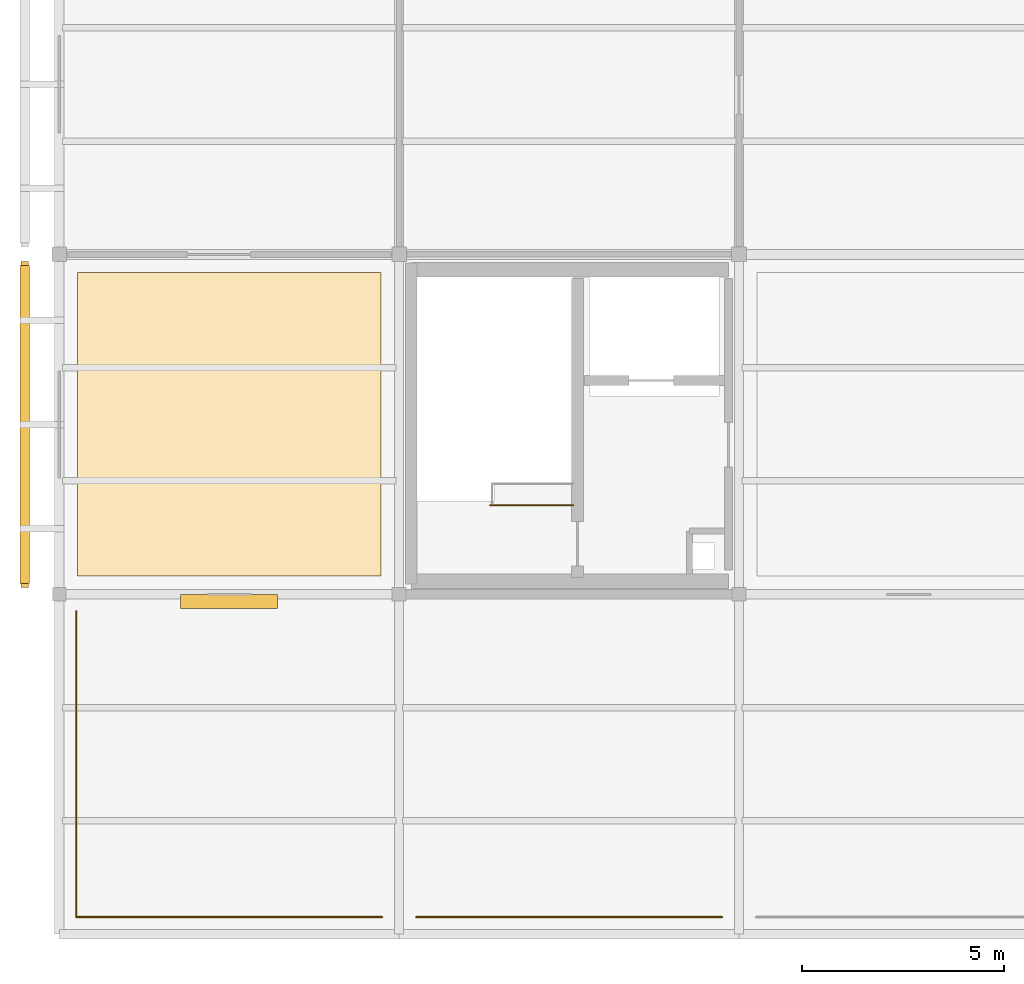
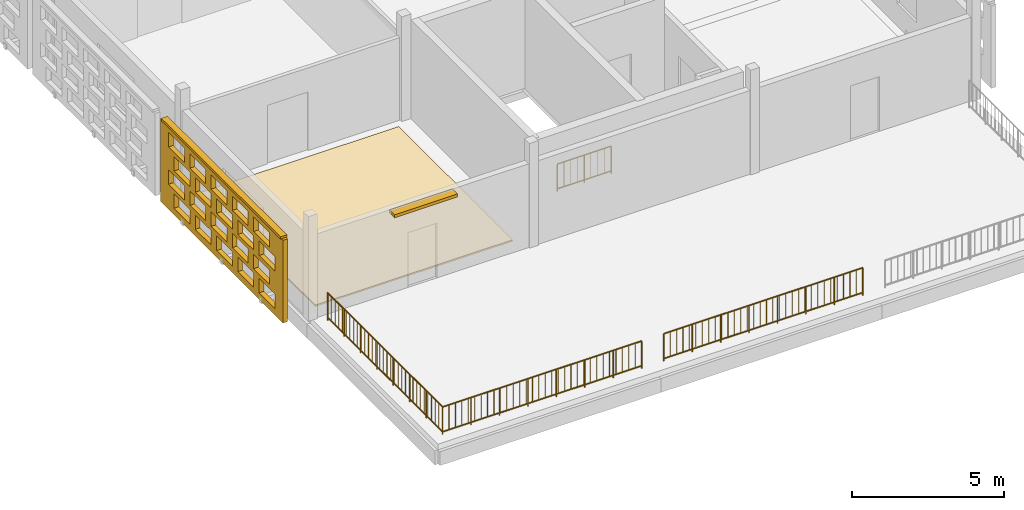
# One storey, part 5 of 13: 4 railings, 2 coverings, 2 shading devices, 20 openings.
"""IFC4 building model written with IfcOpenShell, lengths in metres."""

from ifc_helpers import new_model, si_unit, direction, frame, frame_2d, origin, origin_2d, place, context, subcontext, project, spatial, rectangle, circle, extrude, material, layer, layer_set, type_object, element, save


model = new_model("IFC4")

# Units and contexts
model_context = context("Model", 3, precision=1e-05, world=origin(), true_north=direction((0.0, 1.0)))
body_context = subcontext(model_context, "Body", "Model", "MODEL_VIEW")
ifc_project = project(units=[si_unit("LENGTHUNIT", "METRE"), si_unit("AREAUNIT", "SQUARE_METRE"), si_unit("VOLUMEUNIT", "CUBIC_METRE"), si_unit("PLANEANGLEUNIT", "RADIAN"), si_unit("MASSUNIT", "GRAM", prefix="KILO")], contexts=[model_context])

# Site, building, storey
site_placement = place(None, origin())
site = spatial("IfcSite", under=ifc_project, at=site_placement, CompositionType="ELEMENT")
building_placement = place(site_placement, origin())
building = spatial("IfcBuilding", under=site, at=building_placement, Name="Varnapada Polytechnic", CompositionType="ELEMENT")
storey_placement = place(building_placement, frame((0.0, 0.0, 26.39990234375)))
storey = spatial("IfcBuildingStorey", under=building, at=storey_placement, Name="L06", CompositionType="ELEMENT", Elevation=26.39990234375)

# Covering
ifc_material_1 = material(Name="Anti-Static Raised Laboratory Flooring")
ifc_layer_1 = layer(ifc_material_1, 0.06005859375)
ifc_layer_set_1 = layer_set([ifc_layer_1], Name="Anti-Static Raised Laboratory Flooring")
covering_type_1 = type_object("IfcCoveringType", Name="Floor Finish FLR-02", PredefinedType="FLOORING", material=ifc_layer_set_1)
covering_1_placement = place(storey_placement, frame((4.199951171875, 63.0, 0.0), z_axis=(0.0, 0.0, 1.0), x_axis=(1.0, 0.0, 0.0)))
element("IfcCovering", 1, at=covering_1_placement, inside=storey, type_object=covering_type_1, Name="L06 floor finish panel (1,8)", PredefinedType="FLOORING", context=body_context, shape_type="SweptSolid", body=[
    extrude(rectangle(XDim=7.5, YDim=7.5, at=origin_2d()), origin(), (0.0, 0.0, 1.0), 0.06005859375),
])

# Shading device
ifc_material_2 = material(Name="Anodised aluminium", Category="aluminium")
ifc_layer_2 = layer(ifc_material_2, 0.35009765625)
ifc_layer_set_2 = layer_set([ifc_layer_2], Name="Anodised aluminium")
shading_device_type_1 = type_object("IfcShadingDeviceType", Name="Solar Louvre LVR-01", PredefinedType="JALOUSIE", material=ifc_layer_set_2)
shading_device_1_placement = place(storey_placement, frame((4.199951171875, 58.6201171875, 3.16015625), z_axis=(0.0, 0.0, 1.0), x_axis=(-1.0, 0.0, 0.0)))
element("IfcShadingDevice", 2, at=shading_device_1_placement, inside=storey, type_object=shading_device_type_1, Name="L06 aluminium sun louvre 1", PredefinedType="JALOUSIE", context=body_context, shape_type="SweptSolid", body=[
    extrude(rectangle(XDim=2.39990234375, YDim=0.340087890625, at=origin_2d()), origin(), (0.0, 0.0, 1.0), 0.1201171875),
])

# Railings
ifc_material_3 = material(Name="Brushed Stainless Steel 316", Category="steel")
railing_type_1 = type_object("IfcRailingType", Name="Stair Well Guard Rail SGR-01", PredefinedType="BALUSTRADE", material=ifc_material_3)
railing_1_placement = place(storey_placement, frame((12.699951171875, 61.0, 0.0)))
element("IfcRailing", 3, at=railing_1_placement, inside=storey, type_object=railing_type_1, Name="L06 ST-2 top well guard 1", PredefinedType="BALUSTRADE", context=body_context, shape_type="SweptSolid", body=[
    extrude(circle(Radius=0.02392578125, at=origin_2d()), frame((0.0, 0.0, 1.09619140625), z_axis=(-1.0, 0.0, 0.0), x_axis=(0.0, -1.0, 0.0)), (0.0, 0.0, 1.0), 2.050048828125),
    extrude(circle(Radius=0.02392578125, at=origin_2d()), frame((0.0, 0.0, 0.10009765625), z_axis=(-1.0, 0.0, 0.0), x_axis=(0.0, -1.0, 0.0)), (0.0, 0.0, 1.0), 2.050048828125),
    extrude(circle(Radius=0.02099609375, at=origin_2d()), origin(), (0.0, 0.0, 1.0), 1.072021484375),
    extrude(circle(Radius=0.02099609375, at=origin_2d()), frame((-1.02490234375, 0.0, 0.0)), (0.0, 0.0, 1.0), 1.072021484375),
    extrude(circle(Radius=0.02099609375, at=origin_2d()), frame((-2.050048828125, 0.0, 0.0)), (0.0, 0.0, 1.0), 1.072021484375),
    extrude(circle(Radius=0.010009765625, at=origin_2d()), frame((-0.25634765625, 0.0, 0.10009765625)), (0.0, 0.0, 1.0), 0.971923828125),
    extrude(circle(Radius=0.010009765625, at=origin_2d()), frame((-0.512451171875, 0.0, 0.10009765625)), (0.0, 0.0, 1.0), 0.971923828125),
    extrude(circle(Radius=0.010009765625, at=origin_2d()), frame((-0.768798828125, 0.0, 0.10009765625)), (0.0, 0.0, 1.0), 0.971923828125),
    extrude(circle(Radius=0.010009765625, at=origin_2d()), frame((-1.02490234375, 0.0, 0.10009765625)), (0.0, 0.0, 1.0), 0.971923828125),
    extrude(circle(Radius=0.010009765625, at=origin_2d()), frame((-1.28125, 0.0, 0.10009765625)), (0.0, 0.0, 1.0), 0.971923828125),
    extrude(circle(Radius=0.010009765625, at=origin_2d()), frame((-1.53759765625, 0.0, 0.10009765625)), (0.0, 0.0, 1.0), 0.971923828125),
    extrude(circle(Radius=0.010009765625, at=origin_2d()), frame((-1.793701171875, 0.0, 0.10009765625)), (0.0, 0.0, 1.0), 0.971923828125),
])
ifc_material_4 = material(Name="Painted galvanized steel", Category="steel")
railing_type_2 = type_object("IfcRailingType", Name="Terrace Guard Rail GRD-01", PredefinedType="BALUSTRADE", material=ifc_material_4)
railing_2_placement = place(storey_placement, frame((0.419921875, 50.820068359375, 0.0)))
element("IfcRailing", 4, at=railing_2_placement, inside=storey, type_object=railing_type_2, Name="L06 terrace perimeter guard rail 1", PredefinedType="BALUSTRADE", context=body_context, shape_type="SweptSolid", body=[
    extrude(circle(Radius=0.02392578125, at=origin_2d()), frame((0.0, 0.0, 1.09619140625), z_axis=(1.0, 0.0, 0.0), x_axis=(0.0, 1.0, 0.0)), (0.0, 0.0, 1.0), 7.56005859375),
    extrude(circle(Radius=0.02392578125, at=origin_2d()), frame((0.0, 0.0, 0.10009765625), z_axis=(1.0, 0.0, 0.0), x_axis=(0.0, 1.0, 0.0)), (0.0, 0.0, 1.0), 7.56005859375),
    extrude(circle(Radius=0.02099609375, at=origin_2d()), origin(), (0.0, 0.0, 1.0), 1.072021484375),
    extrude(circle(Radius=0.02099609375, at=origin_2d()), frame((1.080078125, 0.0, 0.0)), (0.0, 0.0, 1.0), 1.072021484375),
    extrude(circle(Radius=0.02099609375, at=origin_2d()), frame((2.159912109375, 0.0, 0.0)), (0.0, 0.0, 1.0), 1.072021484375),
    extrude(circle(Radius=0.02099609375, at=origin_2d()), frame((3.239990234375, 0.0, 0.0)), (0.0, 0.0, 1.0), 1.072021484375),
    extrude(circle(Radius=0.02099609375, at=origin_2d()), frame((4.320068359375, 0.0, 0.0)), (0.0, 0.0, 1.0), 1.072021484375),
    extrude(circle(Radius=0.02099609375, at=origin_2d()), frame((5.400146484375, 0.0, 0.0)), (0.0, 0.0, 1.0), 1.072021484375),
    extrude(circle(Radius=0.02099609375, at=origin_2d()), frame((6.47998046875, 0.0, 0.0)), (0.0, 0.0, 1.0), 1.072021484375),
    extrude(circle(Radius=0.02099609375, at=origin_2d()), frame((7.56005859375, 0.0, 0.0)), (0.0, 0.0, 1.0), 1.072021484375),
    extrude(circle(Radius=0.010009765625, at=origin_2d()), frame((0.243896484375, 0.0, 0.10009765625)), (0.0, 0.0, 1.0), 0.971923828125),
    extrude(circle(Radius=0.010009765625, at=origin_2d()), frame((0.48779296875, 0.0, 0.10009765625)), (0.0, 0.0, 1.0), 0.971923828125),
    extrude(circle(Radius=0.010009765625, at=origin_2d()), frame((0.731689453125, 0.0, 0.10009765625)), (0.0, 0.0, 1.0), 0.971923828125),
    extrude(circle(Radius=0.010009765625, at=origin_2d()), frame((0.9755859375, 0.0, 0.10009765625)), (0.0, 0.0, 1.0), 0.971923828125),
    extrude(circle(Radius=0.010009765625, at=origin_2d()), frame((1.219482421875, 0.0, 0.10009765625)), (0.0, 0.0, 1.0), 0.971923828125),
    extrude(circle(Radius=0.010009765625, at=origin_2d()), frame((1.463134765625, 0.0, 0.10009765625)), (0.0, 0.0, 1.0), 0.971923828125),
    extrude(circle(Radius=0.010009765625, at=origin_2d()), frame((1.70703125, 0.0, 0.10009765625)), (0.0, 0.0, 1.0), 0.971923828125),
    extrude(circle(Radius=0.010009765625, at=origin_2d()), frame((1.950927734375, 0.0, 0.10009765625)), (0.0, 0.0, 1.0), 0.971923828125),
    extrude(circle(Radius=0.010009765625, at=origin_2d()), frame((2.19482421875, 0.0, 0.10009765625)), (0.0, 0.0, 1.0), 0.971923828125),
    extrude(circle(Radius=0.010009765625, at=origin_2d()), frame((2.438720703125, 0.0, 0.10009765625)), (0.0, 0.0, 1.0), 0.971923828125),
    extrude(circle(Radius=0.010009765625, at=origin_2d()), frame((2.6826171875, 0.0, 0.10009765625)), (0.0, 0.0, 1.0), 0.971923828125),
    extrude(circle(Radius=0.010009765625, at=origin_2d()), frame((2.926513671875, 0.0, 0.10009765625)), (0.0, 0.0, 1.0), 0.971923828125),
    extrude(circle(Radius=0.010009765625, at=origin_2d()), frame((3.17041015625, 0.0, 0.10009765625)), (0.0, 0.0, 1.0), 0.971923828125),
    extrude(circle(Radius=0.010009765625, at=origin_2d()), frame((3.414306640625, 0.0, 0.10009765625)), (0.0, 0.0, 1.0), 0.971923828125),
    extrude(circle(Radius=0.010009765625, at=origin_2d()), frame((3.658203125, 0.0, 0.10009765625)), (0.0, 0.0, 1.0), 0.971923828125),
    extrude(circle(Radius=0.010009765625, at=origin_2d()), frame((3.90185546875, 0.0, 0.10009765625)), (0.0, 0.0, 1.0), 0.971923828125),
    extrude(circle(Radius=0.010009765625, at=origin_2d()), frame((4.145751953125, 0.0, 0.10009765625)), (0.0, 0.0, 1.0), 0.971923828125),
    extrude(circle(Radius=0.010009765625, at=origin_2d()), frame((4.3896484375, 0.0, 0.10009765625)), (0.0, 0.0, 1.0), 0.971923828125),
    extrude(circle(Radius=0.010009765625, at=origin_2d()), frame((4.633544921875, 0.0, 0.10009765625)), (0.0, 0.0, 1.0), 0.971923828125),
    extrude(circle(Radius=0.010009765625, at=origin_2d()), frame((4.87744140625, 0.0, 0.10009765625)), (0.0, 0.0, 1.0), 0.971923828125),
    extrude(circle(Radius=0.010009765625, at=origin_2d()), frame((5.121337890625, 0.0, 0.10009765625)), (0.0, 0.0, 1.0), 0.971923828125),
    extrude(circle(Radius=0.010009765625, at=origin_2d()), frame((5.365234375, 0.0, 0.10009765625)), (0.0, 0.0, 1.0), 0.971923828125),
    extrude(circle(Radius=0.010009765625, at=origin_2d()), frame((5.609130859375, 0.0, 0.10009765625)), (0.0, 0.0, 1.0), 0.971923828125),
    extrude(circle(Radius=0.010009765625, at=origin_2d()), frame((5.85302734375, 0.0, 0.10009765625)), (0.0, 0.0, 1.0), 0.971923828125),
    extrude(circle(Radius=0.010009765625, at=origin_2d()), frame((6.096923828125, 0.0, 0.10009765625)), (0.0, 0.0, 1.0), 0.971923828125),
    extrude(circle(Radius=0.010009765625, at=origin_2d()), frame((6.340576171875, 0.0, 0.10009765625)), (0.0, 0.0, 1.0), 0.971923828125),
    extrude(circle(Radius=0.010009765625, at=origin_2d()), frame((6.58447265625, 0.0, 0.10009765625)), (0.0, 0.0, 1.0), 0.971923828125),
    extrude(circle(Radius=0.010009765625, at=origin_2d()), frame((6.828369140625, 0.0, 0.10009765625)), (0.0, 0.0, 1.0), 0.971923828125),
    extrude(circle(Radius=0.010009765625, at=origin_2d()), frame((7.072265625, 0.0, 0.10009765625)), (0.0, 0.0, 1.0), 0.971923828125),
    extrude(circle(Radius=0.010009765625, at=origin_2d()), frame((7.316162109375, 0.0, 0.10009765625)), (0.0, 0.0, 1.0), 0.971923828125),
])
railing_3_placement = place(storey_placement, frame((0.419921875, 50.820068359375, 0.0)))
element("IfcRailing", 5, at=railing_3_placement, inside=storey, type_object=railing_type_2, Name="L06 terrace perimeter guard rail 2", PredefinedType="BALUSTRADE", context=body_context, shape_type="SweptSolid", body=[
    extrude(circle(Radius=0.02392578125, at=origin_2d()), frame((0.0, 0.0, 1.09619140625), z_axis=(0.0, 1.0, 0.0), x_axis=(-1.0, 0.0, 0.0)), (0.0, 0.0, 1.0), 7.559814453125),
    extrude(circle(Radius=0.02392578125, at=origin_2d()), frame((0.0, 0.0, 0.10009765625), z_axis=(0.0, 1.0, 0.0), x_axis=(-1.0, 0.0, 0.0)), (0.0, 0.0, 1.0), 7.559814453125),
    extrude(circle(Radius=0.02099609375, at=origin_2d()), origin(), (0.0, 0.0, 1.0), 1.072021484375),
    extrude(circle(Radius=0.02099609375, at=origin_2d()), frame((0.0, 1.080078125, 0.0)), (0.0, 0.0, 1.0), 1.072021484375),
    extrude(circle(Radius=0.02099609375, at=origin_2d()), frame((0.0, 2.159912109375, 0.0)), (0.0, 0.0, 1.0), 1.072021484375),
    extrude(circle(Radius=0.02099609375, at=origin_2d()), frame((0.0, 3.239990234375, 0.0)), (0.0, 0.0, 1.0), 1.072021484375),
    extrude(circle(Radius=0.02099609375, at=origin_2d()), frame((0.0, 4.31982421875, 0.0)), (0.0, 0.0, 1.0), 1.072021484375),
    extrude(circle(Radius=0.02099609375, at=origin_2d()), frame((0.0, 5.39990234375, 0.0)), (0.0, 0.0, 1.0), 1.072021484375),
    extrude(circle(Radius=0.02099609375, at=origin_2d()), frame((0.0, 6.479736328125, 0.0)), (0.0, 0.0, 1.0), 1.072021484375),
    extrude(circle(Radius=0.02099609375, at=origin_2d()), frame((0.0, 7.559814453125, 0.0)), (0.0, 0.0, 1.0), 1.072021484375),
    extrude(circle(Radius=0.010009765625, at=origin_2d()), frame((0.0, 0.243896484375, 0.10009765625)), (0.0, 0.0, 1.0), 0.971923828125),
    extrude(circle(Radius=0.010009765625, at=origin_2d()), frame((0.0, 0.48779296875, 0.10009765625)), (0.0, 0.0, 1.0), 0.971923828125),
    extrude(circle(Radius=0.010009765625, at=origin_2d()), frame((0.0, 0.731689453125, 0.10009765625)), (0.0, 0.0, 1.0), 0.971923828125),
    extrude(circle(Radius=0.010009765625, at=origin_2d()), frame((0.0, 0.975341796875, 0.10009765625)), (0.0, 0.0, 1.0), 0.971923828125),
    extrude(circle(Radius=0.010009765625, at=origin_2d()), frame((0.0, 1.21923828125, 0.10009765625)), (0.0, 0.0, 1.0), 0.971923828125),
    extrude(circle(Radius=0.010009765625, at=origin_2d()), frame((0.0, 1.463134765625, 0.10009765625)), (0.0, 0.0, 1.0), 0.971923828125),
    extrude(circle(Radius=0.010009765625, at=origin_2d()), frame((0.0, 1.70703125, 0.10009765625)), (0.0, 0.0, 1.0), 0.971923828125),
    extrude(circle(Radius=0.010009765625, at=origin_2d()), frame((0.0, 1.950927734375, 0.10009765625)), (0.0, 0.0, 1.0), 0.971923828125),
    extrude(circle(Radius=0.010009765625, at=origin_2d()), frame((0.0, 2.19482421875, 0.10009765625)), (0.0, 0.0, 1.0), 0.971923828125),
    extrude(circle(Radius=0.010009765625, at=origin_2d()), frame((0.0, 2.438720703125, 0.10009765625)), (0.0, 0.0, 1.0), 0.971923828125),
    extrude(circle(Radius=0.010009765625, at=origin_2d()), frame((0.0, 2.6826171875, 0.10009765625)), (0.0, 0.0, 1.0), 0.971923828125),
    extrude(circle(Radius=0.010009765625, at=origin_2d()), frame((0.0, 2.92626953125, 0.10009765625)), (0.0, 0.0, 1.0), 0.971923828125),
    extrude(circle(Radius=0.010009765625, at=origin_2d()), frame((0.0, 3.170166015625, 0.10009765625)), (0.0, 0.0, 1.0), 0.971923828125),
    extrude(circle(Radius=0.010009765625, at=origin_2d()), frame((0.0, 3.4140625, 0.10009765625)), (0.0, 0.0, 1.0), 0.971923828125),
    extrude(circle(Radius=0.010009765625, at=origin_2d()), frame((0.0, 3.657958984375, 0.10009765625)), (0.0, 0.0, 1.0), 0.971923828125),
    extrude(circle(Radius=0.010009765625, at=origin_2d()), frame((0.0, 3.90185546875, 0.10009765625)), (0.0, 0.0, 1.0), 0.971923828125),
    extrude(circle(Radius=0.010009765625, at=origin_2d()), frame((0.0, 4.145751953125, 0.10009765625)), (0.0, 0.0, 1.0), 0.971923828125),
    extrude(circle(Radius=0.010009765625, at=origin_2d()), frame((0.0, 4.3896484375, 0.10009765625)), (0.0, 0.0, 1.0), 0.971923828125),
    extrude(circle(Radius=0.010009765625, at=origin_2d()), frame((0.0, 4.633544921875, 0.10009765625)), (0.0, 0.0, 1.0), 0.971923828125),
    extrude(circle(Radius=0.010009765625, at=origin_2d()), frame((0.0, 4.877197265625, 0.10009765625)), (0.0, 0.0, 1.0), 0.971923828125),
    extrude(circle(Radius=0.010009765625, at=origin_2d()), frame((0.0, 5.12109375, 0.10009765625)), (0.0, 0.0, 1.0), 0.971923828125),
    extrude(circle(Radius=0.010009765625, at=origin_2d()), frame((0.0, 5.364990234375, 0.10009765625)), (0.0, 0.0, 1.0), 0.971923828125),
    extrude(circle(Radius=0.010009765625, at=origin_2d()), frame((0.0, 5.60888671875, 0.10009765625)), (0.0, 0.0, 1.0), 0.971923828125),
    extrude(circle(Radius=0.010009765625, at=origin_2d()), frame((0.0, 5.852783203125, 0.10009765625)), (0.0, 0.0, 1.0), 0.971923828125),
    extrude(circle(Radius=0.010009765625, at=origin_2d()), frame((0.0, 6.0966796875, 0.10009765625)), (0.0, 0.0, 1.0), 0.971923828125),
    extrude(circle(Radius=0.010009765625, at=origin_2d()), frame((0.0, 6.340576171875, 0.10009765625)), (0.0, 0.0, 1.0), 0.971923828125),
    extrude(circle(Radius=0.010009765625, at=origin_2d()), frame((0.0, 6.58447265625, 0.10009765625)), (0.0, 0.0, 1.0), 0.971923828125),
    extrude(circle(Radius=0.010009765625, at=origin_2d()), frame((0.0, 6.828125, 0.10009765625)), (0.0, 0.0, 1.0), 0.971923828125),
    extrude(circle(Radius=0.010009765625, at=origin_2d()), frame((0.0, 7.072021484375, 0.10009765625)), (0.0, 0.0, 1.0), 0.971923828125),
    extrude(circle(Radius=0.010009765625, at=origin_2d()), frame((0.0, 7.31591796875, 0.10009765625)), (0.0, 0.0, 1.0), 0.971923828125),
])
railing_4_placement = place(storey_placement, frame((8.820068359375, 50.820068359375, 0.0)))
element("IfcRailing", 6, at=railing_4_placement, inside=storey, type_object=railing_type_2, Name="L06 terrace perimeter guard rail 5", PredefinedType="BALUSTRADE", context=body_context, shape_type="SweptSolid", body=[
    extrude(circle(Radius=0.02392578125, at=origin_2d()), frame((0.0, 0.0, 1.09619140625), z_axis=(1.0, 0.0, 0.0), x_axis=(0.0, 1.0, 0.0)), (0.0, 0.0, 1.0), 7.559814453125),
    extrude(circle(Radius=0.02392578125, at=origin_2d()), frame((0.0, 0.0, 0.10009765625), z_axis=(1.0, 0.0, 0.0), x_axis=(0.0, 1.0, 0.0)), (0.0, 0.0, 1.0), 7.559814453125),
    extrude(circle(Radius=0.02099609375, at=origin_2d()), origin(), (0.0, 0.0, 1.0), 1.072021484375),
    extrude(circle(Radius=0.02099609375, at=origin_2d()), frame((1.080078125, 0.0, 0.0)), (0.0, 0.0, 1.0), 1.072021484375),
    extrude(circle(Radius=0.02099609375, at=origin_2d()), frame((2.159912109375, 0.0, 0.0)), (0.0, 0.0, 1.0), 1.072021484375),
    extrude(circle(Radius=0.02099609375, at=origin_2d()), frame((3.239990234375, 0.0, 0.0)), (0.0, 0.0, 1.0), 1.072021484375),
    extrude(circle(Radius=0.02099609375, at=origin_2d()), frame((4.31982421875, 0.0, 0.0)), (0.0, 0.0, 1.0), 1.072021484375),
    extrude(circle(Radius=0.02099609375, at=origin_2d()), frame((5.39990234375, 0.0, 0.0)), (0.0, 0.0, 1.0), 1.072021484375),
    extrude(circle(Radius=0.02099609375, at=origin_2d()), frame((6.479736328125, 0.0, 0.0)), (0.0, 0.0, 1.0), 1.072021484375),
    extrude(circle(Radius=0.02099609375, at=origin_2d()), frame((7.559814453125, 0.0, 0.0)), (0.0, 0.0, 1.0), 1.072021484375),
    extrude(circle(Radius=0.010009765625, at=origin_2d()), frame((0.243896484375, 0.0, 0.10009765625)), (0.0, 0.0, 1.0), 0.971923828125),
    extrude(circle(Radius=0.010009765625, at=origin_2d()), frame((0.48779296875, 0.0, 0.10009765625)), (0.0, 0.0, 1.0), 0.971923828125),
    extrude(circle(Radius=0.010009765625, at=origin_2d()), frame((0.731689453125, 0.0, 0.10009765625)), (0.0, 0.0, 1.0), 0.971923828125),
    extrude(circle(Radius=0.010009765625, at=origin_2d()), frame((0.975341796875, 0.0, 0.10009765625)), (0.0, 0.0, 1.0), 0.971923828125),
    extrude(circle(Radius=0.010009765625, at=origin_2d()), frame((1.21923828125, 0.0, 0.10009765625)), (0.0, 0.0, 1.0), 0.971923828125),
    extrude(circle(Radius=0.010009765625, at=origin_2d()), frame((1.463134765625, 0.0, 0.10009765625)), (0.0, 0.0, 1.0), 0.971923828125),
    extrude(circle(Radius=0.010009765625, at=origin_2d()), frame((1.70703125, 0.0, 0.10009765625)), (0.0, 0.0, 1.0), 0.971923828125),
    extrude(circle(Radius=0.010009765625, at=origin_2d()), frame((1.950927734375, 0.0, 0.10009765625)), (0.0, 0.0, 1.0), 0.971923828125),
    extrude(circle(Radius=0.010009765625, at=origin_2d()), frame((2.19482421875, 0.0, 0.10009765625)), (0.0, 0.0, 1.0), 0.971923828125),
    extrude(circle(Radius=0.010009765625, at=origin_2d()), frame((2.438720703125, 0.0, 0.10009765625)), (0.0, 0.0, 1.0), 0.971923828125),
    extrude(circle(Radius=0.010009765625, at=origin_2d()), frame((2.6826171875, 0.0, 0.10009765625)), (0.0, 0.0, 1.0), 0.971923828125),
    extrude(circle(Radius=0.010009765625, at=origin_2d()), frame((2.92626953125, 0.0, 0.10009765625)), (0.0, 0.0, 1.0), 0.971923828125),
    extrude(circle(Radius=0.010009765625, at=origin_2d()), frame((3.170166015625, 0.0, 0.10009765625)), (0.0, 0.0, 1.0), 0.971923828125),
    extrude(circle(Radius=0.010009765625, at=origin_2d()), frame((3.4140625, 0.0, 0.10009765625)), (0.0, 0.0, 1.0), 0.971923828125),
    extrude(circle(Radius=0.010009765625, at=origin_2d()), frame((3.657958984375, 0.0, 0.10009765625)), (0.0, 0.0, 1.0), 0.971923828125),
    extrude(circle(Radius=0.010009765625, at=origin_2d()), frame((3.90185546875, 0.0, 0.10009765625)), (0.0, 0.0, 1.0), 0.971923828125),
    extrude(circle(Radius=0.010009765625, at=origin_2d()), frame((4.145751953125, 0.0, 0.10009765625)), (0.0, 0.0, 1.0), 0.971923828125),
    extrude(circle(Radius=0.010009765625, at=origin_2d()), frame((4.3896484375, 0.0, 0.10009765625)), (0.0, 0.0, 1.0), 0.971923828125),
    extrude(circle(Radius=0.010009765625, at=origin_2d()), frame((4.633544921875, 0.0, 0.10009765625)), (0.0, 0.0, 1.0), 0.971923828125),
    extrude(circle(Radius=0.010009765625, at=origin_2d()), frame((4.877197265625, 0.0, 0.10009765625)), (0.0, 0.0, 1.0), 0.971923828125),
    extrude(circle(Radius=0.010009765625, at=origin_2d()), frame((5.12109375, 0.0, 0.10009765625)), (0.0, 0.0, 1.0), 0.971923828125),
    extrude(circle(Radius=0.010009765625, at=origin_2d()), frame((5.364990234375, 0.0, 0.10009765625)), (0.0, 0.0, 1.0), 0.971923828125),
    extrude(circle(Radius=0.010009765625, at=origin_2d()), frame((5.60888671875, 0.0, 0.10009765625)), (0.0, 0.0, 1.0), 0.971923828125),
    extrude(circle(Radius=0.010009765625, at=origin_2d()), frame((5.852783203125, 0.0, 0.10009765625)), (0.0, 0.0, 1.0), 0.971923828125),
    extrude(circle(Radius=0.010009765625, at=origin_2d()), frame((6.0966796875, 0.0, 0.10009765625)), (0.0, 0.0, 1.0), 0.971923828125),
    extrude(circle(Radius=0.010009765625, at=origin_2d()), frame((6.340576171875, 0.0, 0.10009765625)), (0.0, 0.0, 1.0), 0.971923828125),
    extrude(circle(Radius=0.010009765625, at=origin_2d()), frame((6.58447265625, 0.0, 0.10009765625)), (0.0, 0.0, 1.0), 0.971923828125),
    extrude(circle(Radius=0.010009765625, at=origin_2d()), frame((6.828125, 0.0, 0.10009765625)), (0.0, 0.0, 1.0), 0.971923828125),
    extrude(circle(Radius=0.010009765625, at=origin_2d()), frame((7.072021484375, 0.0, 0.10009765625)), (0.0, 0.0, 1.0), 0.971923828125),
    extrude(circle(Radius=0.010009765625, at=origin_2d()), frame((7.31591796875, 0.0, 0.10009765625)), (0.0, 0.0, 1.0), 0.971923828125),
])

# Covering, openings
ifc_material_5 = material(Name="Earth-toned architectural terracotta screen block", Category="masonry")
ifc_layer_3 = layer(ifc_material_5, 0.1201171875)
ifc_layer_set_3 = layer_set([ifc_layer_3], Name="Earth-toned architectural terracotta screen block")
covering_type_2 = type_object("IfcCoveringType", Name="Terracotta Screen Cladding CLD-01", PredefinedType="CLADDING", material=ifc_layer_set_3)
covering_2_placement = place(storey_placement, frame((-0.85009765625, 58.969970703125, 0.0), z_axis=(0.0, 0.0, 1.0), x_axis=(0.0, 1.0, 0.0)))
covering_2 = element("IfcCovering", 7, at=covering_2_placement, inside=storey, type_object=covering_type_2, Name="L06 perforated terracotta block screen (2)", PredefinedType="CLADDING", context=body_context, shape_type="SweptSolid", body=[
    extrude(rectangle(XDim=8.050048828125, YDim=0.179931640625, at=frame_2d((4.02490234375, 0.0))), origin(), (0.0, 0.0, 1.0), 3.320068359375),
])
opening_1_placement = place(covering_2_placement, frame((0.52490234375, 0.0, 0.265625)))
element("IfcOpeningElement", 8, at=opening_1_placement, cuts=covering_2, Name="Screen perforation TBS-L06-001.1", PredefinedType="OPENING", context=body_context, shape_type="SweptSolid", body=[
    extrude(rectangle(XDim=1.0400390625, YDim=0.5810546875, at=frame_2d((0.52001953125, 0.29052734375))), frame((0.0, 0.099853515625, 0.0), z_axis=(0.0, -1.0, 0.0), x_axis=(1.0, 0.0, 0.0)), (0.0, 0.0, 1.0), 0.199951171875),
])
opening_2_placement = place(covering_2_placement, frame((1.925048828125, 0.0, 0.265625)))
element("IfcOpeningElement", 9, at=opening_2_placement, cuts=covering_2, Name="Screen perforation TBS-L06-001.2", PredefinedType="OPENING", context=body_context, shape_type="SweptSolid", body=[
    extrude(rectangle(XDim=1.0400390625, YDim=0.5810546875, at=frame_2d((0.52001953125, 0.29052734375))), frame((0.0, 0.099853515625, 0.0), z_axis=(0.0, -1.0, 0.0), x_axis=(1.0, 0.0, 0.0)), (0.0, 0.0, 1.0), 0.199951171875),
])
opening_3_placement = place(covering_2_placement, frame((3.324951171875, 0.0, 0.265625)))
element("IfcOpeningElement", 10, at=opening_3_placement, cuts=covering_2, Name="Screen perforation TBS-L06-001.3", PredefinedType="OPENING", context=body_context, shape_type="SweptSolid", body=[
    extrude(rectangle(XDim=1.0400390625, YDim=0.5810546875, at=frame_2d((0.52001953125, 0.29052734375))), frame((0.0, 0.099853515625, 0.0), z_axis=(0.0, -1.0, 0.0), x_axis=(1.0, 0.0, 0.0)), (0.0, 0.0, 1.0), 0.199951171875),
])
opening_4_placement = place(covering_2_placement, frame((4.72509765625, 0.0, 0.265625)))
element("IfcOpeningElement", 11, at=opening_4_placement, cuts=covering_2, Name="Screen perforation TBS-L06-001.4", PredefinedType="OPENING", context=body_context, shape_type="SweptSolid", body=[
    extrude(rectangle(XDim=1.0400390625, YDim=0.5810546875, at=frame_2d((0.52001953125, 0.29052734375))), frame((0.0, 0.099853515625, 0.0), z_axis=(0.0, -1.0, 0.0), x_axis=(1.0, 0.0, 0.0)), (0.0, 0.0, 1.0), 0.199951171875),
])
opening_5_placement = place(covering_2_placement, frame((6.125, 0.0, 0.265625)))
element("IfcOpeningElement", 12, at=opening_5_placement, cuts=covering_2, Name="Screen perforation TBS-L06-001.5", PredefinedType="OPENING", context=body_context, shape_type="SweptSolid", body=[
    extrude(rectangle(XDim=1.0400390625, YDim=0.5810546875, at=frame_2d((0.52001953125, 0.29052734375))), frame((0.0, 0.099853515625, 0.0), z_axis=(0.0, -1.0, 0.0), x_axis=(1.0, 0.0, 0.0)), (0.0, 0.0, 1.0), 0.199951171875),
])
opening_6_placement = place(covering_2_placement, frame((0.885009765625, 0.0, 1.0126953125)))
element("IfcOpeningElement", 13, at=opening_6_placement, cuts=covering_2, Name="Screen perforation TBS-L06-001.6", PredefinedType="OPENING", context=body_context, shape_type="SweptSolid", body=[
    extrude(rectangle(XDim=1.0400390625, YDim=0.5810546875, at=frame_2d((0.52001953125, 0.29052734375))), frame((0.0, 0.099853515625, 0.0), z_axis=(0.0, -1.0, 0.0), x_axis=(1.0, 0.0, 0.0)), (0.0, 0.0, 1.0), 0.199951171875),
])
opening_7_placement = place(covering_2_placement, frame((2.284912109375, 0.0, 1.0126953125)))
element("IfcOpeningElement", 14, at=opening_7_placement, cuts=covering_2, Name="Screen perforation TBS-L06-001.7", PredefinedType="OPENING", context=body_context, shape_type="SweptSolid", body=[
    extrude(rectangle(XDim=1.0400390625, YDim=0.5810546875, at=frame_2d((0.52001953125, 0.29052734375))), frame((0.0, 0.099853515625, 0.0), z_axis=(0.0, -1.0, 0.0), x_axis=(1.0, 0.0, 0.0)), (0.0, 0.0, 1.0), 0.199951171875),
])
opening_8_placement = place(covering_2_placement, frame((3.68505859375, 0.0, 1.0126953125)))
element("IfcOpeningElement", 15, at=opening_8_placement, cuts=covering_2, Name="Screen perforation TBS-L06-001.8", PredefinedType="OPENING", context=body_context, shape_type="SweptSolid", body=[
    extrude(rectangle(XDim=1.0400390625, YDim=0.5810546875, at=frame_2d((0.52001953125, 0.29052734375))), frame((0.0, 0.099853515625, 0.0), z_axis=(0.0, -1.0, 0.0), x_axis=(1.0, 0.0, 0.0)), (0.0, 0.0, 1.0), 0.199951171875),
])
opening_9_placement = place(covering_2_placement, frame((5.0849609375, 0.0, 1.0126953125)))
element("IfcOpeningElement", 16, at=opening_9_placement, cuts=covering_2, Name="Screen perforation TBS-L06-001.9", PredefinedType="OPENING", context=body_context, shape_type="SweptSolid", body=[
    extrude(rectangle(XDim=1.0400390625, YDim=0.5810546875, at=frame_2d((0.52001953125, 0.29052734375))), frame((0.0, 0.099853515625, 0.0), z_axis=(0.0, -1.0, 0.0), x_axis=(1.0, 0.0, 0.0)), (0.0, 0.0, 1.0), 0.199951171875),
])
opening_10_placement = place(covering_2_placement, frame((6.485107421875, 0.0, 1.0126953125)))
element("IfcOpeningElement", 17, at=opening_10_placement, cuts=covering_2, Name="Screen perforation TBS-L06-001.10", PredefinedType="OPENING", context=body_context, shape_type="SweptSolid", body=[
    extrude(rectangle(XDim=1.0400390625, YDim=0.5810546875, at=frame_2d((0.52001953125, 0.29052734375))), frame((0.0, 0.099853515625, 0.0), z_axis=(0.0, -1.0, 0.0), x_axis=(1.0, 0.0, 0.0)), (0.0, 0.0, 1.0), 0.199951171875),
])
opening_11_placement = place(covering_2_placement, frame((0.52490234375, 0.0, 1.759521484375)))
element("IfcOpeningElement", 18, at=opening_11_placement, cuts=covering_2, Name="Screen perforation TBS-L06-001.11", PredefinedType="OPENING", context=body_context, shape_type="SweptSolid", body=[
    extrude(rectangle(XDim=1.0400390625, YDim=0.5810546875, at=frame_2d((0.52001953125, 0.29052734375))), frame((0.0, 0.099853515625, 0.0), z_axis=(0.0, -1.0, 0.0), x_axis=(1.0, 0.0, 0.0)), (0.0, 0.0, 1.0), 0.199951171875),
])
opening_12_placement = place(covering_2_placement, frame((1.925048828125, 0.0, 1.759521484375)))
element("IfcOpeningElement", 19, at=opening_12_placement, cuts=covering_2, Name="Screen perforation TBS-L06-001.12", PredefinedType="OPENING", context=body_context, shape_type="SweptSolid", body=[
    extrude(rectangle(XDim=1.0400390625, YDim=0.5810546875, at=frame_2d((0.52001953125, 0.29052734375))), frame((0.0, 0.099853515625, 0.0), z_axis=(0.0, -1.0, 0.0), x_axis=(1.0, 0.0, 0.0)), (0.0, 0.0, 1.0), 0.199951171875),
])
opening_13_placement = place(covering_2_placement, frame((3.324951171875, 0.0, 1.759521484375)))
element("IfcOpeningElement", 20, at=opening_13_placement, cuts=covering_2, Name="Screen perforation TBS-L06-001.13", PredefinedType="OPENING", context=body_context, shape_type="SweptSolid", body=[
    extrude(rectangle(XDim=1.0400390625, YDim=0.5810546875, at=frame_2d((0.52001953125, 0.29052734375))), frame((0.0, 0.099853515625, 0.0), z_axis=(0.0, -1.0, 0.0), x_axis=(1.0, 0.0, 0.0)), (0.0, 0.0, 1.0), 0.199951171875),
])
opening_14_placement = place(covering_2_placement, frame((4.72509765625, 0.0, 1.759521484375)))
element("IfcOpeningElement", 21, at=opening_14_placement, cuts=covering_2, Name="Screen perforation TBS-L06-001.14", PredefinedType="OPENING", context=body_context, shape_type="SweptSolid", body=[
    extrude(rectangle(XDim=1.0400390625, YDim=0.5810546875, at=frame_2d((0.52001953125, 0.29052734375))), frame((0.0, 0.099853515625, 0.0), z_axis=(0.0, -1.0, 0.0), x_axis=(1.0, 0.0, 0.0)), (0.0, 0.0, 1.0), 0.199951171875),
])
opening_15_placement = place(covering_2_placement, frame((6.125, 0.0, 1.759521484375)))
element("IfcOpeningElement", 22, at=opening_15_placement, cuts=covering_2, Name="Screen perforation TBS-L06-001.15", PredefinedType="OPENING", context=body_context, shape_type="SweptSolid", body=[
    extrude(rectangle(XDim=1.0400390625, YDim=0.5810546875, at=frame_2d((0.52001953125, 0.29052734375))), frame((0.0, 0.099853515625, 0.0), z_axis=(0.0, -1.0, 0.0), x_axis=(1.0, 0.0, 0.0)), (0.0, 0.0, 1.0), 0.199951171875),
])
opening_16_placement = place(covering_2_placement, frame((0.885009765625, 0.0, 2.506591796875)))
element("IfcOpeningElement", 23, at=opening_16_placement, cuts=covering_2, Name="Screen perforation TBS-L06-001.16", PredefinedType="OPENING", context=body_context, shape_type="SweptSolid", body=[
    extrude(rectangle(XDim=1.0400390625, YDim=0.5810546875, at=frame_2d((0.52001953125, 0.29052734375))), frame((0.0, 0.099853515625, 0.0), z_axis=(0.0, -1.0, 0.0), x_axis=(1.0, 0.0, 0.0)), (0.0, 0.0, 1.0), 0.199951171875),
])
opening_17_placement = place(covering_2_placement, frame((2.284912109375, 0.0, 2.506591796875)))
element("IfcOpeningElement", 24, at=opening_17_placement, cuts=covering_2, Name="Screen perforation TBS-L06-001.17", PredefinedType="OPENING", context=body_context, shape_type="SweptSolid", body=[
    extrude(rectangle(XDim=1.0400390625, YDim=0.5810546875, at=frame_2d((0.52001953125, 0.29052734375))), frame((0.0, 0.099853515625, 0.0), z_axis=(0.0, -1.0, 0.0), x_axis=(1.0, 0.0, 0.0)), (0.0, 0.0, 1.0), 0.199951171875),
])
opening_18_placement = place(covering_2_placement, frame((3.68505859375, 0.0, 2.506591796875)))
element("IfcOpeningElement", 25, at=opening_18_placement, cuts=covering_2, Name="Screen perforation TBS-L06-001.18", PredefinedType="OPENING", context=body_context, shape_type="SweptSolid", body=[
    extrude(rectangle(XDim=1.0400390625, YDim=0.5810546875, at=frame_2d((0.52001953125, 0.29052734375))), frame((0.0, 0.099853515625, 0.0), z_axis=(0.0, -1.0, 0.0), x_axis=(1.0, 0.0, 0.0)), (0.0, 0.0, 1.0), 0.199951171875),
])
opening_19_placement = place(covering_2_placement, frame((5.0849609375, 0.0, 2.506591796875)))
element("IfcOpeningElement", 26, at=opening_19_placement, cuts=covering_2, Name="Screen perforation TBS-L06-001.19", PredefinedType="OPENING", context=body_context, shape_type="SweptSolid", body=[
    extrude(rectangle(XDim=1.0400390625, YDim=0.5810546875, at=frame_2d((0.52001953125, 0.29052734375))), frame((0.0, 0.099853515625, 0.0), z_axis=(0.0, -1.0, 0.0), x_axis=(1.0, 0.0, 0.0)), (0.0, 0.0, 1.0), 0.199951171875),
])
opening_20_placement = place(covering_2_placement, frame((6.485107421875, 0.0, 2.506591796875)))
element("IfcOpeningElement", 27, at=opening_20_placement, cuts=covering_2, Name="Screen perforation TBS-L06-001.20", PredefinedType="OPENING", context=body_context, shape_type="SweptSolid", body=[
    extrude(rectangle(XDim=1.0400390625, YDim=0.5810546875, at=frame_2d((0.52001953125, 0.29052734375))), frame((0.0, 0.099853515625, 0.0), z_axis=(0.0, -1.0, 0.0), x_axis=(1.0, 0.0, 0.0)), (0.0, 0.0, 1.0), 0.199951171875),
])

# Shading device
ifc_layer_4 = layer(ifc_material_5, 0.179931640625)
ifc_layer_set_4 = layer_set([ifc_layer_4], Name="Earth-toned architectural terracotta screen block")
shading_device_type_2 = type_object("IfcShadingDeviceType", Name="Terracotta Screen SCR-01", PredefinedType="USERDEFINED", material=ifc_layer_set_4)
shading_device_2_placement = place(storey_placement, frame((-0.85009765625, 62.9951171875, 3.31005859375), z_axis=(0.0, 0.0, 1.0), x_axis=(0.0, 1.0, 0.0)))
element("IfcShadingDevice", 28, at=shading_device_2_placement, inside=storey, type_object=shading_device_type_2, Name="L06 perforated terracotta screen hood 493", ObjectType="SCREEN", PredefinedType="USERDEFINED", context=body_context, shape_type="SweptSolid", body=[
    extrude(rectangle(XDim=7.85009765625, YDim=0.239990234375, at=origin_2d()), origin(), (0.0, 0.0, 1.0), 0.10009765625),
])

save(model, "model.ifc")
